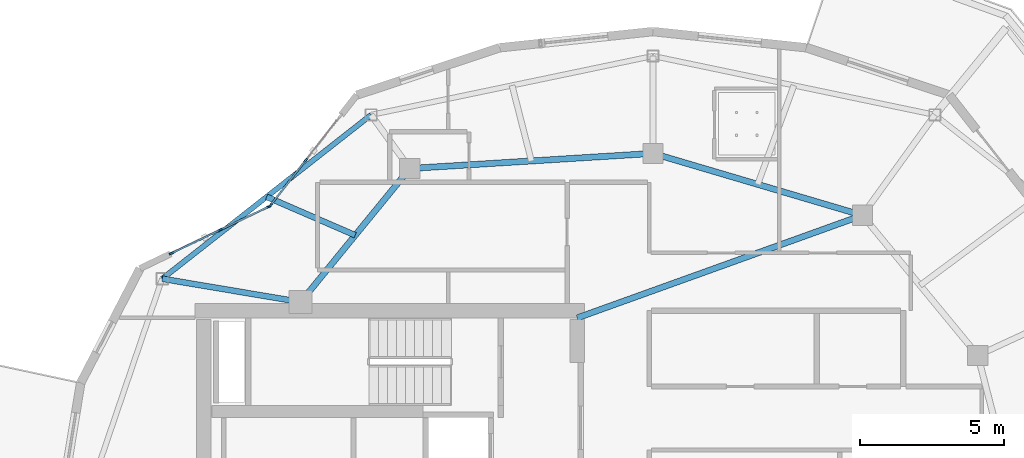
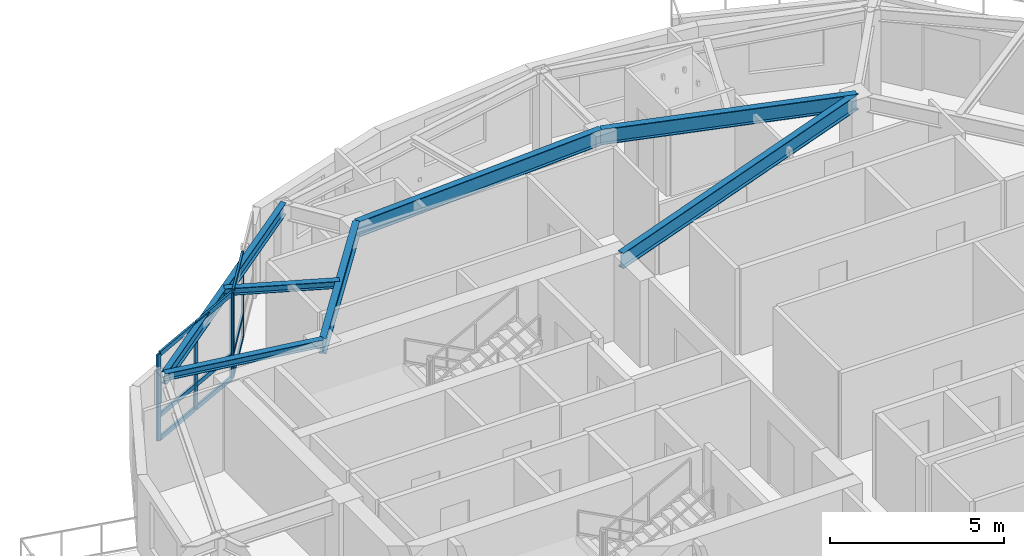
# One storey, part 4 of 15: 14 members, 7 beams, 2 elements without a shape of their own.
"""IFC4 building model written with IfcOpenShell, lengths in metres."""

from ifc_helpers import new_model, si_unit, direction, frame, origin, origin_2d, place, context, subcontext, project, spatial, rectangle, i_section, extrude, material, layer, layer_set, material_profile, profile_set, type_object, element, aggregate, save


model = new_model("IFC4")

# Units and contexts
model_context = context("Model", 3, precision=1e-05, world=origin(), true_north=direction((0.0, 1.0)))
body_context = subcontext(model_context, "Body", "Model", "MODEL_VIEW")
ifc_project = project(units=[si_unit("LENGTHUNIT", "METRE"), si_unit("AREAUNIT", "SQUARE_METRE"), si_unit("VOLUMEUNIT", "CUBIC_METRE"), si_unit("PLANEANGLEUNIT", "RADIAN"), si_unit("MASSUNIT", "GRAM", prefix="KILO")], contexts=[model_context])

# Site, building, storey
site_placement = place(None, origin())
site = spatial("IfcSite", under=ifc_project, at=site_placement, CompositionType="ELEMENT")
building_placement = place(site_placement, origin())
building = spatial("IfcBuilding", under=site, at=building_placement, Name="Kolvaren Gate Tower and Convention Centre", CompositionType="ELEMENT")
storey_placement = place(building_placement, frame((0.0, 0.0, 265.699951171875)))
storey = spatial("IfcBuildingStorey", under=building, at=storey_placement, Name="L72", CompositionType="ELEMENT", Elevation=265.699951171875)

# Curtain wall, members
ifc_material_1 = material(Name="Anodized Architectural Aluminium Alloy 6063-T6", Category="aluminium")
ifc_layer = layer(ifc_material_1, 0.159912109375)
ifc_layer_set = layer_set([ifc_layer], Name="Anodized Architectural Aluminium Alloy 6063-T6")
curtain_wall_type = type_object("IfcCurtainWallType", Name="CW-RES-UNIT", PredefinedType="NOTDEFINED", material=ifc_layer_set)
curtain_wall_1_placement = place(storey_placement, origin())
curtain_wall_1 = element("IfcCurtainWall", 1, at=curtain_wall_1_placement, inside=storey, type_object=curtain_wall_type, Name="Tower L72 Unitised Curtain Wall CW-RES-UNIT Bay 08", PredefinedType="NOTDEFINED")
ifc_material_profile_1 = material_profile(ifc_material_1, rectangle(XDim=0.06494140625, YDim=0.159912109375, at=origin_2d()), Name="CW-MEM-MUL-160")
ifc_profile_set_1 = profile_set([ifc_material_profile_1], Name="Anodized Architectural Aluminium Alloy 6063-T6")
member_type_1 = type_object("IfcMemberType", Name="CW-MEM-MUL-160", PredefinedType="MULLION", material=ifc_profile_set_1)
member_1_placement = place(storey_placement, frame((16.8662109375, 37.40087890625, 0.0), z_axis=(0.0, 0.0, 1.0), x_axis=(-0.787412947119, 0.616425867976, 0.0)))
member_1 = element("IfcMember", 2, at=member_1_placement, type_object=member_type_1, Name="CW-04 mullion 1", PredefinedType="MULLION", context=body_context, shape_type="SweptSolid", body=[
    extrude(rectangle(XDim=0.06494140625, YDim=0.159912109375, at=origin_2d()), origin(), (0.0, 0.0, 1.0), 3.030029296875),
])
member_2_placement = place(storey_placement, frame((18.082763671875, 38.954833984375, 0.0), z_axis=(0.0, 0.0, 1.0), x_axis=(-0.787412947119, 0.616425867976, 0.0)))
member_2 = element("IfcMember", 3, at=member_2_placement, type_object=member_type_1, Name="CW-04 mullion 2", PredefinedType="MULLION", context=body_context, shape_type="SweptSolid", body=[
    extrude(rectangle(XDim=0.06494140625, YDim=0.159912109375, at=origin_2d()), origin(), (0.0, 0.0, 1.0), 3.030029296875),
])

curtain_wall_2_placement = place(storey_placement, origin())
curtain_wall_2 = element("IfcCurtainWall", 4, at=curtain_wall_2_placement, inside=storey, type_object=curtain_wall_type, Name="Tower L72 Unitised Curtain Wall CW-RES-UNIT Bay 09", PredefinedType="NOTDEFINED")
member_3_placement = place(storey_placement, frame((13.438232421875, 35.738037109375, 0.0), z_axis=(0.0, 0.0, 1.0), x_axis=(-0.433070351816, 0.901360122469, 0.0)))
member_3 = element("IfcMember", 5, at=member_3_placement, type_object=member_type_1, Name="CW-04 mullion 1", PredefinedType="MULLION", context=body_context, shape_type="SweptSolid", body=[
    extrude(rectangle(XDim=0.06494140625, YDim=0.159912109375, at=origin_2d()), origin(), (0.0, 0.0, 1.0), 3.030029296875),
])
member_4_placement = place(storey_placement, frame((15.12744140625, 36.5498046875, 0.0), z_axis=(0.0, 0.0, 1.0), x_axis=(-0.433070351816, 0.901360122469, 0.0)))
member_4 = element("IfcMember", 6, at=member_4_placement, type_object=member_type_1, Name="CW-04 mullion 2", PredefinedType="MULLION", context=body_context, shape_type="SweptSolid", body=[
    extrude(rectangle(XDim=0.06494140625, YDim=0.159912109375, at=origin_2d()), origin(), (0.0, 0.0, 1.0), 3.030029296875),
])
member_5_placement = place(storey_placement, frame((16.81689453125, 37.361328125, 0.0), z_axis=(0.0, 0.0, 1.0), x_axis=(-0.433070351816, 0.901360122469, 0.0)))
member_5 = element("IfcMember", 7, at=member_5_placement, type_object=member_type_1, Name="CW-04 mullion 3", PredefinedType="MULLION", context=body_context, shape_type="SweptSolid", body=[
    extrude(rectangle(XDim=0.06494140625, YDim=0.159912109375, at=origin_2d()), origin(), (0.0, 0.0, 1.0), 3.030029296875),
])

# Member
ifc_material_profile_2 = material_profile(ifc_material_1, rectangle(XDim=0.06494140625, YDim=0.159912109375, at=origin_2d()), Name="CW-MEM-TRN-160")
ifc_profile_set_2 = profile_set([ifc_material_profile_2], Name="Anodized Architectural Aluminium Alloy 6063-T6")
member_type_2 = type_object("IfcMemberType", Name="CW-MEM-TRN-160", PredefinedType="USERDEFINED", material=ifc_profile_set_2)
member_6_placement = place(storey_placement, frame((16.88623046875, 37.426513671875, 0.032470703125), z_axis=(0.616328956941, 0.787488804261, 0.0), x_axis=(-0.787488804261, 0.616328956941, 0.0)))
member_6 = element("IfcMember", 8, at=member_6_placement, type_object=member_type_2, Name="CW-04 transom 1.1", ObjectType="TRANSOM", PredefinedType="USERDEFINED", context=body_context, shape_type="SweptSolid", body=[
    extrude(rectangle(XDim=0.06494140625, YDim=0.159912109375, at=origin_2d()), origin(), (0.0, 0.0, 1.0), 1.908447265625),
])

member_7_placement = place(storey_placement, frame((16.88623046875, 37.426513671875, 0.85009765625), z_axis=(0.616328956941, 0.787488804261, 0.0), x_axis=(-0.787488804261, 0.616328956941, 0.0)))
member_7 = element("IfcMember", 9, at=member_7_placement, type_object=member_type_2, Name="CW-04 transom 1.2", ObjectType="TRANSOM", PredefinedType="USERDEFINED", context=body_context, shape_type="SweptSolid", body=[
    extrude(rectangle(XDim=0.06494140625, YDim=0.159912109375, at=origin_2d()), origin(), (0.0, 0.0, 1.0), 1.908447265625),
])

member_8_placement = place(storey_placement, frame((16.88623046875, 37.426513671875, 2.99755859375), z_axis=(0.616328956941, 0.787488804261, 0.0), x_axis=(-0.787488804261, 0.616328956941, 0.0)))
member_8 = element("IfcMember", 10, at=member_8_placement, type_object=member_type_2, Name="CW-04 transom 1.3", ObjectType="TRANSOM", PredefinedType="USERDEFINED", context=body_context, shape_type="SweptSolid", body=[
    extrude(rectangle(XDim=0.06494140625, YDim=0.159912109375, at=origin_2d()), origin(), (0.0, 0.0, 1.0), 1.908447265625),
])

aggregate(curtain_wall_1, [member_1, member_2, member_6, member_7, member_8])

member_9_placement = place(storey_placement, frame((13.467529296875, 35.752197265625, 0.032470703125), z_axis=(0.901360838228, 0.433068862086, 0.0), x_axis=(-0.433068862086, 0.901360838228, 0.0)))
member_9 = element("IfcMember", 11, at=member_9_placement, type_object=member_type_2, Name="CW-04 transom 1.1", ObjectType="TRANSOM", PredefinedType="USERDEFINED", context=body_context, shape_type="SweptSolid", body=[
    extrude(rectangle(XDim=0.06494140625, YDim=0.159912109375, at=origin_2d()), origin(), (0.0, 0.0, 1.0), 1.80908203125),
])

member_10_placement = place(storey_placement, frame((13.467529296875, 35.752197265625, 0.85009765625), z_axis=(0.901360838228, 0.433068862086, 0.0), x_axis=(-0.433068862086, 0.901360838228, 0.0)))
member_10 = element("IfcMember", 12, at=member_10_placement, type_object=member_type_2, Name="CW-04 transom 1.2", ObjectType="TRANSOM", PredefinedType="USERDEFINED", context=body_context, shape_type="SweptSolid", body=[
    extrude(rectangle(XDim=0.06494140625, YDim=0.159912109375, at=origin_2d()), origin(), (0.0, 0.0, 1.0), 1.80908203125),
])

member_11_placement = place(storey_placement, frame((13.467529296875, 35.752197265625, 2.99755859375), z_axis=(0.901360838228, 0.433068862086, 0.0), x_axis=(-0.433068862086, 0.901360838228, 0.0)))
member_11 = element("IfcMember", 13, at=member_11_placement, type_object=member_type_2, Name="CW-04 transom 1.3", ObjectType="TRANSOM", PredefinedType="USERDEFINED", context=body_context, shape_type="SweptSolid", body=[
    extrude(rectangle(XDim=0.06494140625, YDim=0.159912109375, at=origin_2d()), origin(), (0.0, 0.0, 1.0), 1.80908203125),
])

member_12_placement = place(storey_placement, frame((15.15673828125, 36.563720703125, 0.032470703125), z_axis=(0.901386144136, 0.433016188104, 0.0), x_axis=(-0.433016188104, 0.901386144136, 0.0)))
member_12 = element("IfcMember", 14, at=member_12_placement, type_object=member_type_2, Name="CW-04 transom 2.1", ObjectType="TRANSOM", PredefinedType="USERDEFINED", context=body_context, shape_type="SweptSolid", body=[
    extrude(rectangle(XDim=0.06494140625, YDim=0.159912109375, at=origin_2d()), origin(), (0.0, 0.0, 1.0), 1.809326171875),
])

member_13_placement = place(storey_placement, frame((15.15673828125, 36.563720703125, 0.85009765625), z_axis=(0.901386144136, 0.433016188104, 0.0), x_axis=(-0.433016188104, 0.901386144136, 0.0)))
member_13 = element("IfcMember", 15, at=member_13_placement, type_object=member_type_2, Name="CW-04 transom 2.2", ObjectType="TRANSOM", PredefinedType="USERDEFINED", context=body_context, shape_type="SweptSolid", body=[
    extrude(rectangle(XDim=0.06494140625, YDim=0.159912109375, at=origin_2d()), origin(), (0.0, 0.0, 1.0), 1.809326171875),
])

member_14_placement = place(storey_placement, frame((15.15673828125, 36.563720703125, 2.99755859375), z_axis=(0.901386144136, 0.433016188104, 0.0), x_axis=(-0.433016188104, 0.901386144136, 0.0)))
member_14 = element("IfcMember", 16, at=member_14_placement, type_object=member_type_2, Name="CW-04 transom 2.3", ObjectType="TRANSOM", PredefinedType="USERDEFINED", context=body_context, shape_type="SweptSolid", body=[
    extrude(rectangle(XDim=0.06494140625, YDim=0.159912109375, at=origin_2d()), origin(), (0.0, 0.0, 1.0), 1.809326171875),
])

aggregate(curtain_wall_2, [member_3, member_4, member_5, member_9, member_10, member_11, member_12, member_13, member_14])

# Beams
ifc_material_2 = material(Name="Structural steel ASTM A992 Grade 345 MPa", Category="steel")
ifc_material_profile_3 = material_profile(ifc_material_2, i_section(OverallWidth=0.2119140625, OverallDepth=0.5439453125, WebThickness=0.01318359375, FlangeThickness=0.021240234375, at=origin_2d()), Name="W530X123")
ifc_profile_set_3 = profile_set([ifc_material_profile_3], Name="Structural steel ASTM A992 Grade 345 MPa")
beam_type_1 = type_object("IfcBeamType", Name="STR-BM-W530X123", PredefinedType="BEAM", material=ifc_profile_set_3)
beam_1_placement = place(storey_placement, frame((37.381591796875, 37.054931640625, 2.758056640625), z_axis=(-0.958980837827, 0.283470902706, 0.0), x_axis=(-0.283470902706, -0.958980837827, 0.0)))
element("IfcBeam", 17, at=beam_1_placement, inside=storey, type_object=beam_type_1, Name="Tower L72 Primary Ring Girder G-03", PredefinedType="BEAM", context=body_context, shape_type="SweptSolid", body=[
    extrude(i_section(OverallWidth=0.2119140625, OverallDepth=0.5439453125, WebThickness=0.01318359375, FlangeThickness=0.021240234375, at=origin_2d()), origin(), (0.0, 0.0, 1.0), 7.56689453125),
])
beam_2_placement = place(storey_placement, frame((30.125, 39.199951171875, 2.758056640625), z_axis=(-0.998078258568, -0.06196603726, 0.0), x_axis=(0.06196603726, -0.998078258568, 0.0)))
element("IfcBeam", 18, at=beam_2_placement, inside=storey, type_object=beam_type_1, Name="Tower L72 Primary Ring Girder G-04", PredefinedType="BEAM", context=body_context, shape_type="SweptSolid", body=[
    extrude(i_section(OverallWidth=0.2119140625, OverallDepth=0.5439453125, WebThickness=0.01318359375, FlangeThickness=0.021240234375, at=origin_2d()), origin(), (0.0, 0.0, 1.0), 8.443115234375),
])
beam_3_placement = place(storey_placement, frame((21.697998046875, 38.6767578125, 2.758056640625), z_axis=(-0.633082074904, -0.774084676528, 0.0), x_axis=(0.774084676528, -0.633082074904, 0.0)))
element("IfcBeam", 19, at=beam_3_placement, inside=storey, type_object=beam_type_1, Name="Tower L72 Primary Ring Girder G-05", PredefinedType="BEAM", context=body_context, shape_type="SweptSolid", body=[
    extrude(i_section(OverallWidth=0.2119140625, OverallDepth=0.5439453125, WebThickness=0.01318359375, FlangeThickness=0.021240234375, at=origin_2d()), origin(), (0.0, 0.0, 1.0), 5.97705078125),
])
beam_4_placement = place(storey_placement, frame((27.5, 33.5, 2.758056640625), z_axis=(0.940961479908, 0.338513653093, 0.0), x_axis=(-0.338513653093, 0.940961479908, 0.0)))
element("IfcBeam", 20, at=beam_4_placement, inside=storey, type_object=beam_type_1, Name="Tower L72 Primary Ring Girder G-10", PredefinedType="BEAM", context=body_context, shape_type="SweptSolid", body=[
    extrude(i_section(OverallWidth=0.2119140625, OverallDepth=0.5439453125, WebThickness=0.01318359375, FlangeThickness=0.021240234375, at=origin_2d()), origin(), (0.0, 0.0, 1.0), 10.501708984375),
])
ifc_material_profile_4 = material_profile(ifc_material_2, i_section(OverallWidth=0.202880859375, OverallDepth=0.251953125, WebThickness=0.008056640625, FlangeThickness=0.013427734375, at=origin_2d()), Name="W250X58")
ifc_profile_set_4 = profile_set([ifc_material_profile_4], Name="Structural steel ASTM A992 Grade 345 MPa")
beam_type_2 = type_object("IfcBeamType", Name="STR-JS-W250X58", PredefinedType="JOIST", material=ifc_profile_set_4)
beam_5_placement = place(storey_placement, frame((17.9140625, 34.050048828125, 2.904052734375), z_axis=(-0.986176061403, 0.165700862749, 0.0), x_axis=(-0.165700862749, -0.986176061403, 0.0)))
element("IfcBeam", 21, at=beam_5_placement, inside=storey, type_object=beam_type_2, Name="Tower L72 Radial Floor Girder RB-06", PredefinedType="JOIST", context=body_context, shape_type="SweptSolid", body=[
    extrude(i_section(OverallWidth=0.202880859375, OverallDepth=0.251953125, WebThickness=0.008056640625, FlangeThickness=0.013427734375, at=origin_2d()), origin(), (0.0, 0.0, 1.0), 4.864990234375),
])
beam_6_placement = place(storey_placement, frame((19.805908203125, 36.36328125, 2.904052734375), z_axis=(-0.917285677822, 0.398229814632, 0.0), x_axis=(-0.398229814632, -0.917285677822, 0.0)))
element("IfcBeam", 22, at=beam_6_placement, inside=storey, type_object=beam_type_2, Name="Tower L72 Secondary Composite Floor Joist J-05.1", PredefinedType="JOIST", context=body_context, shape_type="SweptSolid", body=[
    extrude(i_section(OverallWidth=0.202880859375, OverallDepth=0.251953125, WebThickness=0.008056640625, FlangeThickness=0.013427734375, at=origin_2d()), origin(), (0.0, 0.0, 1.0), 3.34619140625),
])
ifc_material_profile_5 = material_profile(ifc_material_2, i_section(OverallWidth=0.180908203125, OverallDepth=0.4169921875, WebThickness=0.010986328125, FlangeThickness=0.018310546875, at=origin_2d()), Name="W410X85")
ifc_profile_set_5 = profile_set([ifc_material_profile_5], Name="Structural steel ASTM A992 Grade 345 MPa")
beam_type_3 = type_object("IfcBeamType", Name="STR-SP-W410X85", PredefinedType="SPANDREL", material=ifc_profile_set_5)
beam_7_placement = place(storey_placement, frame((20.356689453125, 40.53515625, 2.821533203125), z_axis=(-0.786845586039, -0.61714991998, 0.0), x_axis=(0.61714991998, -0.786845586039, 0.0)))
element("IfcBeam", 23, at=beam_7_placement, inside=storey, type_object=beam_type_3, Name="Tower L72 Perimeter Spandrel Beam SP-05", PredefinedType="SPANDREL", context=body_context, shape_type="SweptSolid", body=[
    extrude(i_section(OverallWidth=0.180908203125, OverallDepth=0.4169921875, WebThickness=0.010986328125, FlangeThickness=0.018310546875, at=origin_2d()), origin(), (0.0, 0.0, 1.0), 9.201904296875),
])

save(model, "model.ifc")
